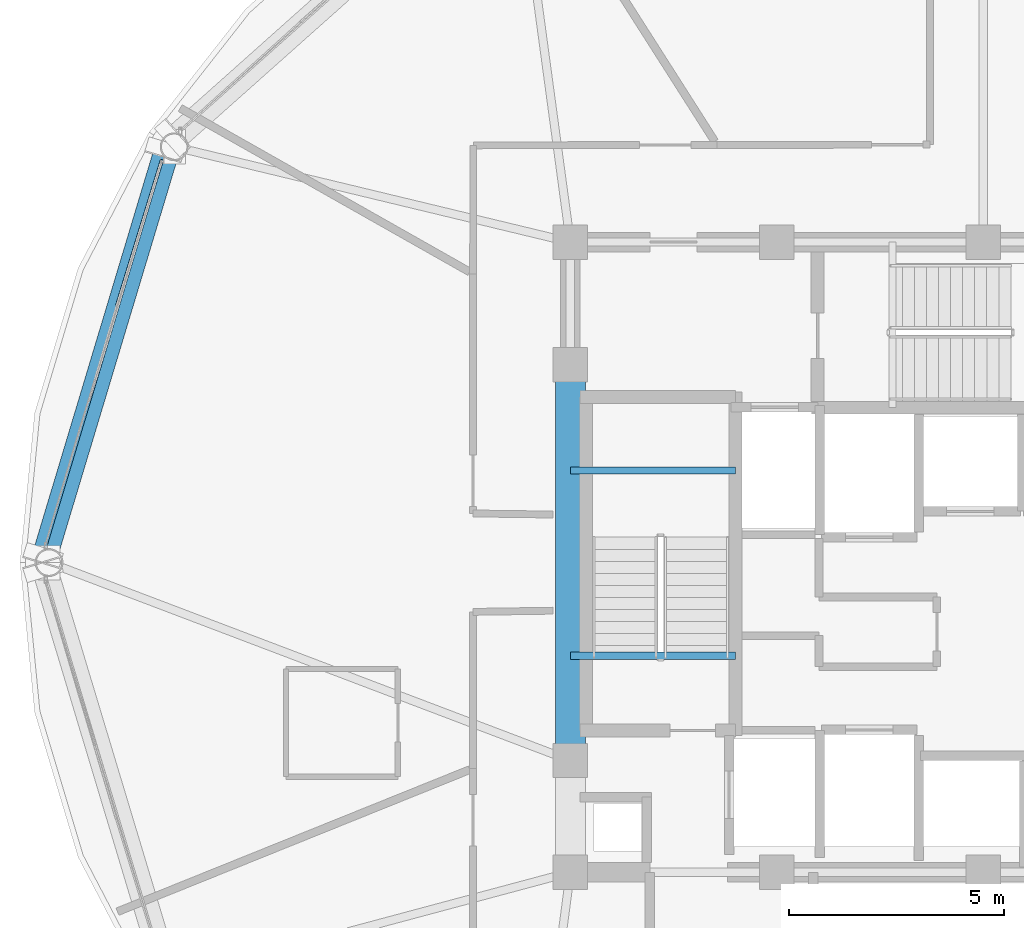
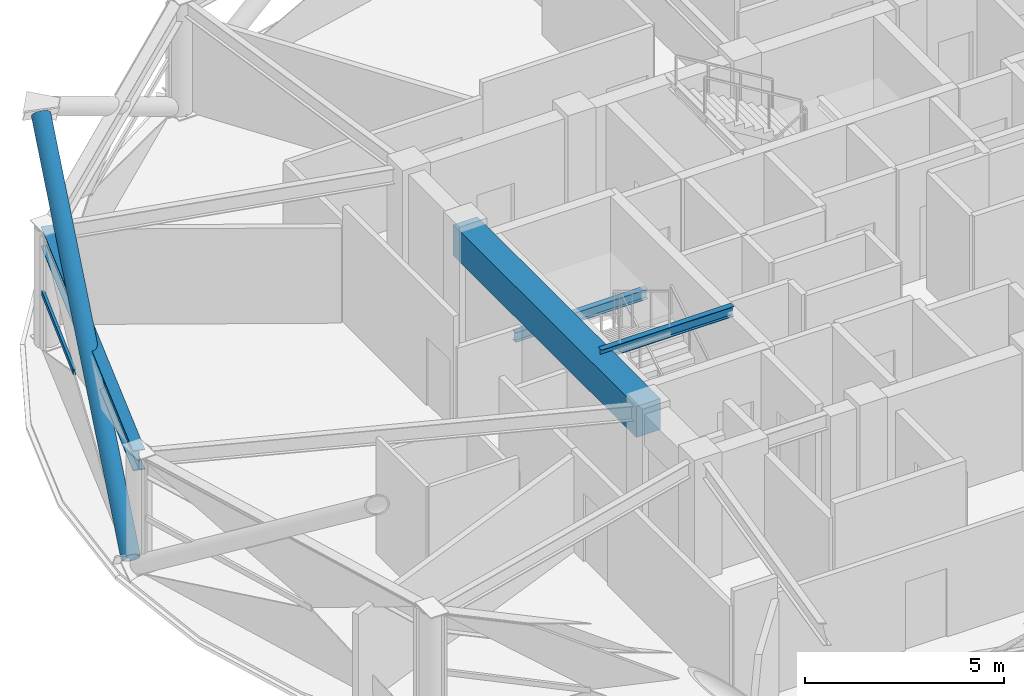
# One storey, part 8 of 28: 4 beams, 2 members, 1 element without a shape of its own.
"""IFC4 building model written with IfcOpenShell, lengths in metres."""

from ifc_helpers import new_model, si_unit, direction, frame, origin, origin_2d, place, context, subcontext, project, spatial, rectangle, hollow_rectangle, hollow_circle, i_section, extrude, material, layer, layer_set, material_profile, profile_set, type_object, element, aggregate, save


model = new_model("IFC4")

# Units and contexts
model_context = context("Model", 3, precision=1e-05, world=origin(), true_north=direction((0.0, 1.0)))
body_context = subcontext(model_context, "Body", "Model", "MODEL_VIEW")
ifc_project = project(units=[si_unit("LENGTHUNIT", "METRE"), si_unit("AREAUNIT", "SQUARE_METRE"), si_unit("VOLUMEUNIT", "CUBIC_METRE"), si_unit("PLANEANGLEUNIT", "RADIAN"), si_unit("MASSUNIT", "GRAM", prefix="KILO")], contexts=[model_context])

# Site, building, storey
site_placement = place(None, origin())
site = spatial("IfcSite", under=ifc_project, at=site_placement, CompositionType="ELEMENT")
building_placement = place(site_placement, origin())
building = spatial("IfcBuilding", under=site, at=building_placement, Name="Vantalir Tower", CompositionType="ELEMENT")
storey_placement = place(building_placement, frame((0.0, 0.0, 242.39990234375)))
storey = spatial("IfcBuildingStorey", under=building, at=storey_placement, Name="L61", CompositionType="ELEMENT", Elevation=242.39990234375)

# Beams
ifc_material_1 = material(Name="Concrete C60/75", Category="concrete")
ifc_material_profile_1 = material_profile(ifc_material_1, rectangle(XDim=0.699951171875, YDim=0.949951171875, at=origin_2d()), Name="Concrete C60/75")
ifc_profile_set_1 = profile_set([ifc_material_profile_1], Name="Concrete C60/75")
beam_type_1 = type_object("IfcBeamType", Name="BM-CB-700x950", PredefinedType="USERDEFINED", material=ifc_profile_set_1)
beam_1_placement = place(storey_placement, frame((21.89990234375, 29.60009765625, 3.09521484375), z_axis=(0.0, -1.0, 0.0), x_axis=(1.0, 0.0, 0.0)))
element("IfcBeam", 1, at=beam_1_placement, inside=storey, type_object=beam_type_1, Name="L61 Core Coupling Girder 13", ObjectType="GIRDER", PredefinedType="USERDEFINED", context=body_context, shape_type="SweptSolid", body=[
    extrude(rectangle(XDim=0.699951171875, YDim=0.949951171875, at=origin_2d()), origin(), (0.0, 0.0, 1.0), 9.2001953125),
])
ifc_material_2 = material(Name="Steel S355", Category="steel")
ifc_material_profile_2 = material_profile(ifc_material_2, i_section(OverallWidth=0.166015625, OverallDepth=0.306884765625, WebThickness=0.006591796875, FlangeThickness=0.01171875, at=origin_2d()), Name="Steel S355")
ifc_profile_set_2 = profile_set([ifc_material_profile_2], Name="Steel S355")
beam_type_2 = type_object("IfcBeamType", Name="BM-JS-305x165", PredefinedType="JOIST", material=ifc_profile_set_2)
for number, where, z_axis, x_axis, name in (
    (2, (21.89990234375, 22.8349609375, 3.59619140625), (1.0, 0.0, 0.0), (0.0, 1.0, 0.0), "L62 Stair ST1 Well Nosing Trimmer Beam"),
    (3, (21.89990234375, 27.14501953125, 1.52099609375), (1.0, 0.0, 0.0), (0.0, 1.0, 0.0), "L61 Stair ST1 Half-Landing Support Beam"),
):
    element("IfcBeam", number, at=place(storey_placement, frame(where, z_axis=z_axis, x_axis=x_axis)), inside=storey, type_object=beam_type_2, Name=name, PredefinedType="JOIST", context=body_context, shape_type="SweptSolid", body=[
        extrude(i_section(OverallWidth=0.166015625, OverallDepth=0.306884765625, WebThickness=0.006591796875, FlangeThickness=0.01171875, at=origin_2d()), origin(), (0.0, 0.0, 1.0), 3.840087890625),
    ])
ifc_material_3 = material(Name="Steel S460", Category="steel")
ifc_material_profile_3 = material_profile(ifc_material_3, i_section(OverallWidth=0.306884765625, OverallDepth=0.6201171875, WebThickness=0.01416015625, FlangeThickness=0.023681640625, at=origin_2d()), Name="Steel S460")
ifc_profile_set_3 = profile_set([ifc_material_profile_3], Name="Steel S460")
beam_type_3 = type_object("IfcBeamType", Name="BM-RG-610x305", PredefinedType="USERDEFINED", material=ifc_profile_set_3)
beam_2_placement = place(storey_placement, frame((12.69189453125, 34.666015625, 3.260009765625), z_axis=(-0.288266356679, -0.95755026375, 0.0), x_axis=(0.95755026375, -0.288266356679, 0.0)))
element("IfcBeam", 4, at=beam_2_placement, inside=storey, type_object=beam_type_3, Name="L61 Circumferential Ring Girder 06", ObjectType="GIRDER", PredefinedType="USERDEFINED", context=body_context, shape_type="SweptSolid", body=[
    extrude(i_section(OverallWidth=0.306884765625, OverallDepth=0.6201171875, WebThickness=0.01416015625, FlangeThickness=0.023681640625, at=origin_2d()), origin(), (0.0, 0.0, 1.0), 10.094482421875),
])

# Curtain wall, member
ifc_material_4 = material(Name="Champagne-silver PVDF aluminium and double-silver Low-E glass", Category="aluminium")
ifc_layer = layer(ifc_material_4, 0.2099609375)
ifc_layer_set = layer_set([ifc_layer], Name="Champagne-silver PVDF aluminium and double-silver Low-E glass")
curtain_wall_type = type_object("IfcCurtainWallType", Name="CW-DIAMOND-Z3", PredefinedType="USERDEFINED", material=ifc_layer_set)
curtain_wall_placement = place(storey_placement, origin())
curtain_wall = element("IfcCurtainWall", 5, at=curtain_wall_placement, inside=storey, type_object=curtain_wall_type, Name="L61 Quilted Pyramid-Diamond Curtain Wall S06", ObjectType="UNITISED CURTAIN WALL", PredefinedType="USERDEFINED")
ifc_material_5 = material(Name="Champagne-silver PVDF aluminium 6063-T6", Category="aluminium")
ifc_material_profile_4 = material_profile(ifc_material_5, hollow_rectangle(XDim=0.074951171875, YDim=0.159912109375, WallThickness=0.00390625, at=origin_2d()), Name="Champagne-silver PVDF aluminium 6063-T6")
ifc_profile_set_4 = profile_set([ifc_material_profile_4], Name="Champagne-silver PVDF aluminium 6063-T6")
member_type_1 = type_object("IfcMemberType", Name="CWT-160x75", PredefinedType="USERDEFINED", material=ifc_profile_set_4)
member_1_placement = place(storey_placement, frame((12.408935546875, 34.367919921875, 1.78515625), z_axis=(-0.294471161401, -0.955660365979, 0.0), x_axis=(0.955660365979, -0.294471161401, 0.0)))
member_1 = element("IfcMember", 6, at=member_1_placement, type_object=member_type_1, Name="CW-L61-S06 Pyramid Fold Ridge Transom", ObjectType="TRANSOM", PredefinedType="USERDEFINED", context=body_context, shape_type="SweptSolid", body=[
    extrude(hollow_rectangle(XDim=0.074951171875, YDim=0.159912109375, WallThickness=0.00390625, at=origin_2d()), origin(), (0.0, 0.0, 1.0), 3.561767578125),
])
aggregate(curtain_wall, [member_1])

# Member
ifc_material_profile_5 = material_profile(ifc_material_3, hollow_circle(Radius=0.25, WallThickness=0.031982421875, at=origin_2d()), Name="Steel S460")
ifc_profile_set_5 = profile_set([ifc_material_profile_5], Name="Steel S460")
member_type_2 = type_object("IfcMemberType", Name="MEM-DB-500x32", PredefinedType="BRACE", material=ifc_profile_set_5)
member_2_placement = place(storey_placement, frame((9.64404296875, 25.172119140625, 0.2060546875), z_axis=(0.23558240087, 0.783622315141, 0.574836498157), x_axis=(-0.957659390234, 0.287903616332, 0.0)))
element("IfcMember", 7, at=member_2_placement, inside=storey, type_object=member_type_2, Name="L61 Perimeter S460 Diagrid Brace R19R", PredefinedType="BRACE", context=body_context, shape_type="SweptSolid", body=[
    extrude(hollow_circle(Radius=0.25, WallThickness=0.031982421875, at=origin_2d()), origin(), (0.0, 0.0, 1.0), 12.017333984375),
])

save(model, "model.ifc")
